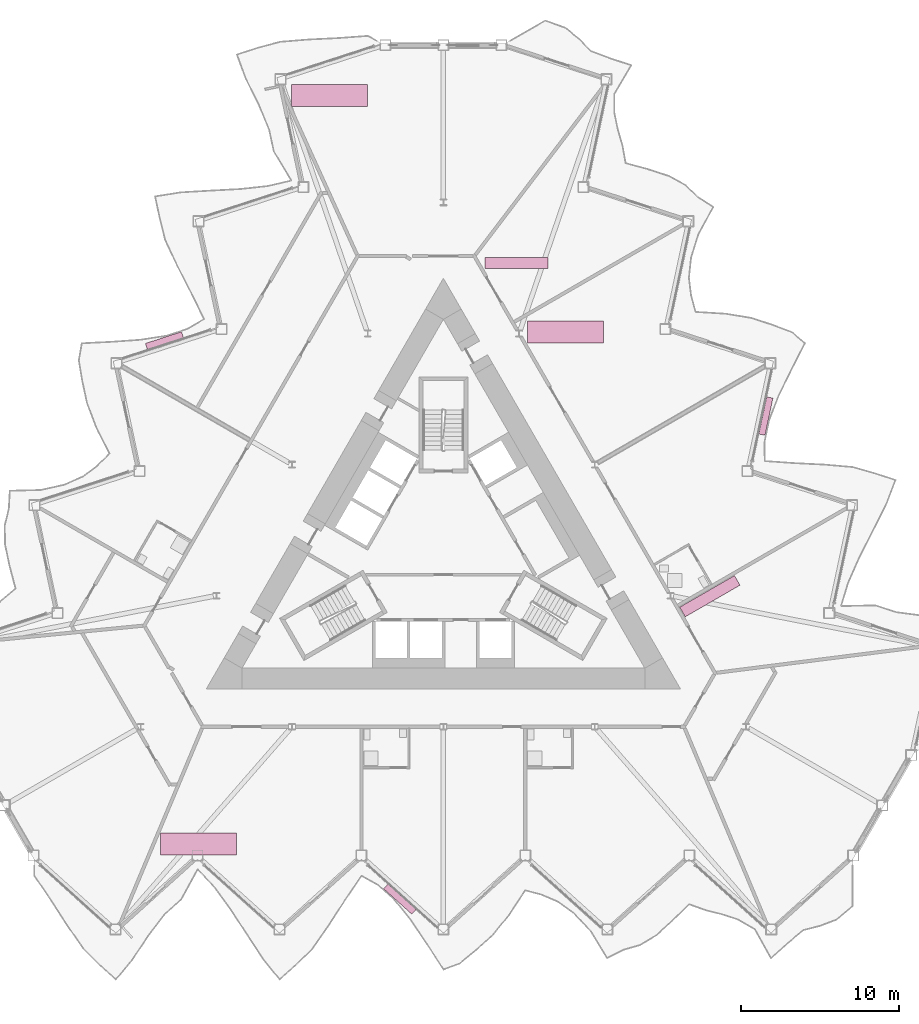
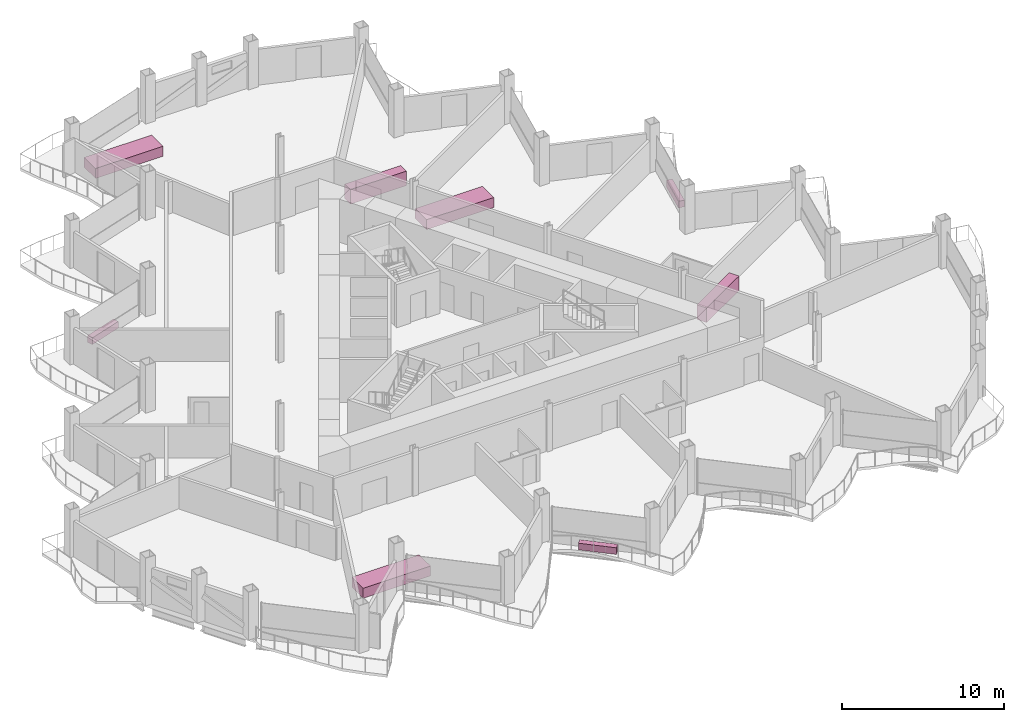
# One storey, part 23 of 23: 8 furniture elements.
"""IFC4 building model written with IfcOpenShell, lengths in metres."""

from ifc_helpers import new_model, si_unit, direction, frame, origin, origin_2d, place, context, subcontext, project, spatial, rectangle, extrude, material, type_object, element, save


model = new_model("IFC4")

# Units and contexts
model_context = context("Model", 3, precision=1e-05, world=origin(), true_north=direction((0.0, 1.0)))
body_context = subcontext(model_context, "Body", "Model", "MODEL_VIEW")
ifc_project = project(units=[si_unit("LENGTHUNIT", "METRE"), si_unit("AREAUNIT", "SQUARE_METRE"), si_unit("VOLUMEUNIT", "CUBIC_METRE"), si_unit("PLANEANGLEUNIT", "RADIAN"), si_unit("MASSUNIT", "GRAM", prefix="KILO")], contexts=[model_context])

# Site, building, storey
site_placement = place(None, origin())
site = spatial("IfcSite", under=ifc_project, at=site_placement, CompositionType="ELEMENT")
building_placement = place(site_placement, origin())
building = spatial("IfcBuilding", under=site, at=building_placement, Name="Cormorant Prow Tower", CompositionType="ELEMENT")
storey_placement = place(building_placement, frame((0.0, 0.0, 263.39990234375)))
storey = spatial("IfcBuildingStorey", under=building, at=storey_placement, Name="L59", CompositionType="ELEMENT", Elevation=263.39990234375)

# Furniture
ifc_material_1 = material(Name="Terracotta", Category="masonry")
furniture_type_1 = type_object("IfcFurnitureType", Name="Balcony planter 2400x400x500", AssemblyPlace="NOTDEFINED", PredefinedType="USERDEFINED", material=ifc_material_1)
for number, where, z_axis, x_axis, name in (
    (1, (-2.758544921875, -21.975341796875, 0.0), (0.0, 0.0, 1.0), (0.743144856192, -0.669130572247, 0.0), "Balcony planter S04"),
    (2, (20.410400390625, 8.5986328125, 0.0), (0.0, 0.0, 1.0), (0.20791174707, 0.978147588777, 0.0), "Balcony planter ENE04"),
    (3, (-17.65185546875, 13.376708984375, 0.0), (0.0, 0.0, 1.0), (-0.951056515173, -0.309016997828, 0.0), "Balcony planter WNW04"),
):
    element("IfcFurniture", number, at=place(storey_placement, frame(where, z_axis=z_axis, x_axis=x_axis)), inside=storey, type_object=furniture_type_1, Name=name, ObjectType="PLANTER", PredefinedType="USERDEFINED", context=body_context, shape_type="SweptSolid", body=[
        extrude(rectangle(XDim=2.39990234375, YDim=0.39990234375, at=origin_2d()), origin(), (0.0, 0.0, 1.0), 0.5),
    ])
ifc_material_2 = material(Name="Timber joinery", Category="wood")
furniture_type_2 = type_object("IfcFurnitureType", Name="Bar counter 4000x700", AssemblyPlace="NOTDEFINED", PredefinedType="NOTDEFINED", material=ifc_material_2)
for number, where, z_axis, x_axis, name in (
    (4, (16.8662109375, -2.802734375, 0.0), (0.0, 0.0, 1.0), (0.866025403784, 0.5, 0.0), "Bar counter"),
    (5, (4.626953125, 18.28662109375, 0.0), (0.0, 0.0, 1.0), (1.0, 0.0, 0.0), "Bar counter"),
):
    element("IfcFurniture", number, at=place(storey_placement, frame(where, z_axis=z_axis, x_axis=x_axis)), inside=storey, type_object=furniture_type_2, Name=name, PredefinedType="NOTDEFINED", context=body_context, shape_type="SweptSolid", body=[
        extrude(rectangle(XDim=4.0, YDim=0.699951171875, at=origin_2d()), origin(), (0.0, 0.0, 1.0), 1.10009765625),
    ])
ifc_material_3 = material(Name="Timber joinery", Category="wood")
furniture_type_3 = type_object("IfcFurnitureType", Name="Conference table 4800x1400", AssemblyPlace="NOTDEFINED", PredefinedType="TABLE", material=ifc_material_3)
for number, where, z_axis, x_axis, name in (
    (6, (-15.495361328125, -18.4951171875, 0.0), (0.0, 0.0, 1.0), (1.0, 0.0, 0.0), "Conference table"),
    (7, (7.7255859375, 13.909912109375, 0.0), (0.0, 0.0, 1.0), (1.0, 0.0, 0.0), "Conference table"),
    (8, (-7.21484375, 28.900146484375, 0.0), (0.0, 0.0, 1.0), (1.0, 0.0, 0.0), "Conference table"),
):
    element("IfcFurniture", number, at=place(storey_placement, frame(where, z_axis=z_axis, x_axis=x_axis)), inside=storey, type_object=furniture_type_3, Name=name, PredefinedType="TABLE", context=body_context, shape_type="SweptSolid", body=[
        extrude(rectangle(XDim=4.800048828125, YDim=1.39990234375, at=origin_2d()), origin(), (0.0, 0.0, 1.0), 0.75),
    ])

save(model, "model.ifc")
